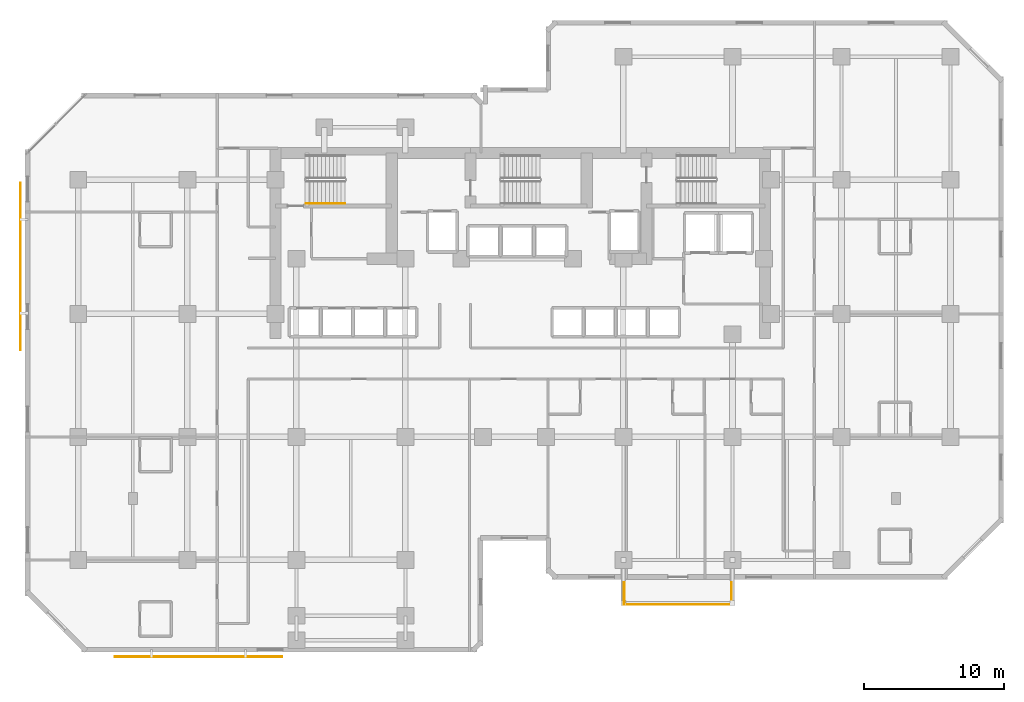
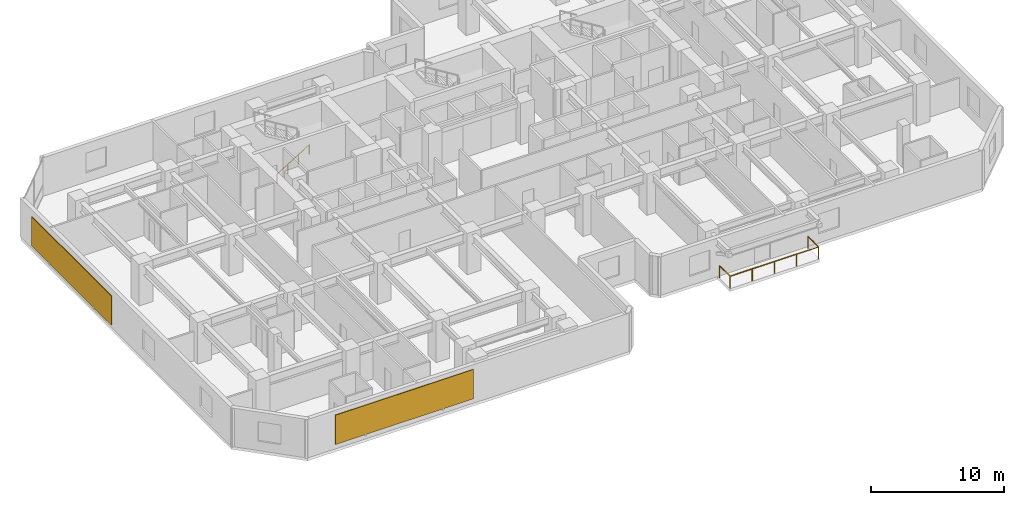
# One storey, part 11 of 12: 3 railings, 2 shading devices.
"""IFC4 building model written with IfcOpenShell, lengths in metres."""

import ifcopenshell
import ifcopenshell.guid

model = None  # the IFC model being written
_history = None  # IfcOwnerHistory: only IFC2X3 demands one
_inside = {}  # id of a spatial element -> (the spatial element, [elements in it])
_under = {}  # id of a project, library or spatial element -> (it, [spatial elements below it])
_declared = {}  # id of a project -> (the project, [libraries it declares])
_typed = {}  # id of a type object -> (the type object, [elements of that type])
_made_of = {}  # id of a material, layer set ... -> (it, [elements and type objects made of it])


def new_model(schema):
    """Start an empty IFC model of exactly this schema.

    Asked for "IFC4X3", IfcOpenShell would pick the latest addendum, in which some entities
    have other attributes; the version numbers below select the first issue.
    IFC2X3 requires an IfcOwnerHistory on every rooted entity: one is made here for all.
    """
    global model, _history
    if schema == "IFC4X3":
        model = ifcopenshell.file(schema_version=(4, 3, 0, 0))
    else:
        model = ifcopenshell.file(schema=schema)
    _inside.clear()
    _under.clear()
    _declared.clear()
    _typed.clear()
    _made_of.clear()
    _history = None
    if model.schema == "IFC2X3":
        org = make("IfcOrganization", Name="unknown")
        user = make(
            "IfcPersonAndOrganization",
            ThePerson=make("IfcPerson", FamilyName="unknown"),
            TheOrganization=org,
        )
        app = make(
            "IfcApplication",
            ApplicationDeveloper=org,
            Version="unknown",
            ApplicationFullName="unknown",
            ApplicationIdentifier="unknown",
        )
        _history = make(
            "IfcOwnerHistory",
            OwningUser=user,
            OwningApplication=app,
            ChangeAction="ADDED",
            CreationDate=0,
        )
    return model


def make(cls, **values):
    """One entity of the class cls with the attributes given. An attribute that is None is left unset."""
    return model.create_entity(
        cls, **{name: value for name, value in values.items() if value is not None}
    )


def rooted(cls, **values):
    """An entity with a GlobalId (a new one), such as an element, a storey or a relation."""
    return make(cls, GlobalId=ifcopenshell.guid.new(), OwnerHistory=_history, **values)


def si_unit(unit_type, name, prefix=None):
    """IfcSIUnit, for example si_unit("LENGTHUNIT", "METRE", prefix="MILLI")."""
    return make("IfcSIUnit", UnitType=unit_type, Prefix=prefix, Name=name)


def assignment(units):
    """IfcUnitAssignment: the units of a project."""
    return None if units is None else make("IfcUnitAssignment", Units=units)


def point(xyz):
    """IfcCartesianPoint."""
    return None if xyz is None else make("IfcCartesianPoint", Coordinates=xyz)


def direction(xyz):
    """IfcDirection."""
    return None if xyz is None else make("IfcDirection", DirectionRatios=xyz)


def frame(location, z_axis=None, x_axis=None):
    """IfcAxis2Placement3D, a coordinate frame: its origin and axes. An axis left out is left unset."""
    return make(
        "IfcAxis2Placement3D",
        Location=point(location),
        Axis=direction(z_axis),
        RefDirection=direction(x_axis),
    )


def frame_2d(location, x_axis=None):
    """IfcAxis2Placement2D, a coordinate frame in the plane: its origin and x axis."""
    return make(
        "IfcAxis2Placement2D", Location=point(location), RefDirection=direction(x_axis)
    )


def origin():
    """The frame at (0, 0, 0) with its axes left unset."""
    return frame((0.0, 0.0, 0.0))


def origin_2d():
    """The frame at (0, 0) in the plane with its x axis left unset."""
    return frame_2d((0.0, 0.0))


def place(relative_to, where):
    """IfcLocalPlacement: puts the frame where relative to a parent placement (None: the world)."""
    return make(
        "IfcLocalPlacement", PlacementRelTo=relative_to, RelativePlacement=where
    )


def context(
    kind, dimensions, precision=None, world=None, true_north=None, identifier=None
):
    """IfcGeometricRepresentationContext, for example the 3D "Model" context."""
    return make(
        "IfcGeometricRepresentationContext",
        ContextIdentifier=identifier,
        ContextType=kind,
        CoordinateSpaceDimension=dimensions,
        Precision=precision,
        WorldCoordinateSystem=world,
        TrueNorth=true_north,
    )


def subcontext(parent, identifier, kind, view, scale=None):
    """IfcGeometricRepresentationSubContext, for example "Body" below "Model"."""
    return make(
        "IfcGeometricRepresentationSubContext",
        ContextIdentifier=identifier,
        ContextType=kind,
        ParentContext=parent,
        TargetScale=scale,
        TargetView=view,
    )


def project(units=None, contexts=None):
    """IfcProject with its units and contexts."""
    return rooted(
        "IfcProject",
        Name="project",
        RepresentationContexts=contexts,
        UnitsInContext=assignment(units),
    )


def spatial(cls, under=None, at=None, **own):
    """A site, building, storey or space (cls), placed at a placement, below another one or the project."""
    s = rooted(cls, ObjectPlacement=at, **own)
    if under is not None:
        _under.setdefault(under.id(), (under, []))[1].append(s)
    return s


def profile(cls, at=None, kind="AREA", **sizes):
    """A parametric profile (cls). Its sizes go by their IFC names, for example OverallWidth=200.0."""
    return make(cls, ProfileType=kind, Position=at, **sizes)


def rectangle(**sizes):
    """IfcRectangleProfileDef."""
    return profile("IfcRectangleProfileDef", **sizes)


def circle(**sizes):
    """IfcCircleProfileDef."""
    return profile("IfcCircleProfileDef", **sizes)


def extrude(swept, where, along, depth):
    """IfcExtrudedAreaSolid: the profile swept, set in the frame where, extruded along a direction by depth."""
    return make(
        "IfcExtrudedAreaSolid",
        SweptArea=swept,
        Position=where,
        ExtrudedDirection=direction(along),
        Depth=depth,
    )


def shape(context_of_items, identifier, shape_type, items):
    """IfcShapeRepresentation: the items that make up one representation, for example the "Body"."""
    return make(
        "IfcShapeRepresentation",
        ContextOfItems=context_of_items,
        RepresentationIdentifier=identifier,
        RepresentationType=shape_type,
        Items=items,
    )


def material(Name=None, Category=None):
    """IfcMaterial."""
    return make("IfcMaterial", Name=Name, Category=Category)


def layer(
    of_material, thickness, ventilated=None, Name=None, Category=None, Priority=None
):
    """IfcMaterialLayer: one layer of a wall or slab, of a material (None: an air gap)."""
    return make(
        "IfcMaterialLayer",
        Material=of_material,
        LayerThickness=thickness,
        IsVentilated=ventilated,
        Name=Name,
        Category=Category,
        Priority=Priority,
    )


def layer_set(layers, Name=None):
    """IfcMaterialLayerSet."""
    return make("IfcMaterialLayerSet", MaterialLayers=layers, LayerSetName=Name)


def made_of(thing, what):
    """Note that an element or type object is made of a material, layer set ...; save() writes the relation."""
    if what is not None:
        _made_of.setdefault(what.id(), (what, []))[1].append(thing)
    return thing


def type_object(cls, material=None, **own):
    """A type object (cls), such as IfcWallType, which elements share."""
    return made_of(rooted(cls, **own), material)


def element(
    cls,
    number,
    at=None,
    inside=None,
    cuts=None,
    type_object=None,
    material=None,
    context=None,
    identifier="Body",
    shape_type=None,
    held_by="IfcProductDefinitionShape",
    body=None,
    shapes=None,
    **own,
):
    """One element of the class cls, such as IfcWall. Its Tag is "e" and its number.

    at: its placement. inside: the storey or other place that contains it. cuts: it is an
    opening in that element (IfcRelVoidsElement). A single representation is given by context,
    identifier, shape_type and body (its items); several are given by shapes. held_by: the class
    of the entity that holds the representations. save() writes the other relations.
    """
    e = rooted(cls, Tag="e%d" % number, ObjectPlacement=at, **own)
    if body is not None:
        shapes = [shape(context, identifier, shape_type, body)]
    if shapes is not None:
        e.Representation = make(held_by, Representations=shapes)
    if inside is not None:
        _inside.setdefault(inside.id(), (inside, []))[1].append(e)
    if cuts is not None:
        rooted(
            "IfcRelVoidsElement", RelatingBuildingElement=cuts, RelatedOpeningElement=e
        )
    if type_object is not None:
        _typed.setdefault(type_object.id(), (type_object, []))[1].append(e)
    return made_of(e, material)


def aggregate(whole, parts):
    """IfcRelAggregates: a whole, such as a stair, and the parts it consists of."""
    return rooted("IfcRelAggregates", RelatingObject=whole, RelatedObjects=parts)


def save(model, path):
    """Write the relations noted so far, then the file.

    IfcRelAggregates (storeys below a building ...), IfcRelContainedInSpatialStructure (elements
    in a storey), IfcRelDefinesByType, IfcRelAssociatesMaterial and IfcRelDeclares: one each for
    every whole, place, type object, material and project.
    """
    for whole, parts in _under.values():
        aggregate(whole, parts)
    for where, things in _inside.values():
        rooted(
            "IfcRelContainedInSpatialStructure",
            RelatedElements=things,
            RelatingStructure=where,
        )
    for kind, things in _typed.values():
        rooted("IfcRelDefinesByType", RelatedObjects=things, RelatingType=kind)
    for what, things in _made_of.values():
        rooted("IfcRelAssociatesMaterial", RelatedObjects=things, RelatingMaterial=what)
    for by, libraries in _declared.values():
        rooted("IfcRelDeclares", RelatingContext=by, RelatedDefinitions=libraries)
    model.write(path)


model = new_model("IFC4")

# Units and contexts
model_context = context("Model", 3, precision=1e-05, world=origin(), true_north=direction((0.0, 1.0)))
body_context = subcontext(model_context, "Body", "Model", "MODEL_VIEW")
ifc_project = project(units=[si_unit("LENGTHUNIT", "METRE"), si_unit("AREAUNIT", "SQUARE_METRE"), si_unit("VOLUMEUNIT", "CUBIC_METRE"), si_unit("PLANEANGLEUNIT", "RADIAN"), si_unit("MASSUNIT", "GRAM", prefix="KILO")], contexts=[model_context])

# Site, building, storey
site_placement = place(None, origin())
site = spatial("IfcSite", under=ifc_project, at=site_placement, CompositionType="ELEMENT")
building_placement = place(site_placement, origin())
building = spatial("IfcBuilding", under=site, at=building_placement, Name="Kestravale Grand Hotel", CompositionType="ELEMENT")
storey_placement = place(building_placement, frame((0.0, 0.0, 110.800048828125)))
storey = spatial("IfcBuildingStorey", under=building, at=storey_placement, Name="L27", CompositionType="ELEMENT", Elevation=110.800048828125)

# Railings
ifc_material_1 = material(Name="Champagne-bronze stainless steel and laminated glass guard", Category="steel")
railing_type_1 = type_object("IfcRailingType", Name="RL-EXT-1100", PredefinedType="GUARDRAIL", material=ifc_material_1)
railing_1_placement = place(storey_placement, frame((46.860107421875, 8.010009765625, 0.0)))
element("IfcRailing", 1, at=railing_1_placement, inside=storey, type_object=railing_type_1, Name="L27 outdoor terrace guard 1", PredefinedType="GUARDRAIL", context=body_context, shape_type="SweptSolid", body=[
    extrude(circle(Radius=0.02392578125, at=origin_2d()), frame((0.0, 0.0, 1.09619140625), z_axis=(0.0, 1.0, 0.0), x_axis=(-1.0, 0.0, 0.0)), (0.0, 0.0, 1.0), 1.570068359375),
    extrude(circle(Radius=0.02099609375, at=origin_2d()), origin(), (0.0, 0.0, 1.0), 1.072021484375),
    extrude(circle(Radius=0.02099609375, at=origin_2d()), frame((0.0, 1.570068359375, 0.0)), (0.0, 0.0, 1.0), 1.072021484375),
])
railing_2_placement = place(storey_placement, frame((54.5400390625, 9.580078125, 0.0)))
element("IfcRailing", 2, at=railing_2_placement, inside=storey, type_object=railing_type_1, Name="L27 outdoor terrace guard 2", PredefinedType="GUARDRAIL", context=body_context, shape_type="SweptSolid", body=[
    extrude(circle(Radius=0.02392578125, at=origin_2d()), frame((0.0, 0.0, 1.09619140625), z_axis=(0.0, -1.0, 0.0), x_axis=(1.0, 0.0, 0.0)), (0.0, 0.0, 1.0), 1.570068359375),
    extrude(circle(Radius=0.02392578125, at=origin_2d()), frame((0.0, -1.570068359375, 1.09619140625), z_axis=(-1.0, 0.0, 0.0), x_axis=(0.0, -1.0, 0.0)), (0.0, 0.0, 1.0), 7.679931640625),
    extrude(circle(Radius=0.02099609375, at=origin_2d()), origin(), (0.0, 0.0, 1.0), 1.072021484375),
    extrude(circle(Radius=0.02099609375, at=origin_2d()), frame((0.0, -1.570068359375, 0.0)), (0.0, 0.0, 1.0), 1.072021484375),
    extrude(circle(Radius=0.02099609375, at=origin_2d()), frame((-1.919921875, -1.570068359375, 0.0)), (0.0, 0.0, 1.0), 1.072021484375),
    extrude(circle(Radius=0.02099609375, at=origin_2d()), frame((-3.83984375, -1.570068359375, 0.0)), (0.0, 0.0, 1.0), 1.072021484375),
    extrude(circle(Radius=0.02099609375, at=origin_2d()), frame((-5.760009765625, -1.570068359375, 0.0)), (0.0, 0.0, 1.0), 1.072021484375),
    extrude(circle(Radius=0.02099609375, at=origin_2d()), frame((-7.679931640625, -1.570068359375, 0.0)), (0.0, 0.0, 1.0), 1.072021484375),
])
ifc_material_2 = material(Name="Brushed stainless steel wall handrail", Category="steel")
railing_type_2 = type_object("IfcRailingType", Name="RL-ST-HND900", PredefinedType="HANDRAIL", material=ifc_material_2)
railing_3_placement = place(storey_placement, frame((24.080078125, 36.699951171875, 0.172607421875)))
element("IfcRailing", 3, at=railing_3_placement, inside=storey, type_object=railing_type_2, Name="L27 ST-1 stair handrail 1", PredefinedType="HANDRAIL", context=body_context, shape_type="SweptSolid", body=[
    extrude(circle(Radius=0.02392578125, at=origin_2d()), frame((0.0, 0.0, 0.8759765625), z_axis=(0.851069175582, 0.0, 0.525053576669), x_axis=(0.0, 1.0, 0.0)), (0.0, 0.0, 1.0), 3.289794921875),
    extrude(circle(Radius=0.02099609375, at=origin_2d()), origin(), (0.0, 0.0, 1.0), 0.851806640625),
    extrude(circle(Radius=0.02099609375, at=origin_2d()), frame((0.933349609375, 0.0, 0.57568359375)), (0.0, 0.0, 1.0), 0.851806640625),
    extrude(circle(Radius=0.02099609375, at=origin_2d()), frame((1.866455078125, 0.0, 1.151611328125)), (0.0, 0.0, 1.0), 0.851806640625),
    extrude(circle(Radius=0.02099609375, at=origin_2d()), frame((2.7998046875, 0.0, 1.727294921875)), (0.0, 0.0, 1.0), 0.851806640625),
])

# Shading devices
ifc_material_3 = material(Name="Perforated champagne-bronze aluminium and ceramic solar screen", Category="aluminium")
ifc_layer = layer(ifc_material_3, 0.06494140625)
ifc_layer_set = layer_set([ifc_layer], Name="SHD-SCR-CHEV")
shading_device_type = type_object("IfcShadingDeviceType", Name="SHD-SCR-CHEV", PredefinedType="USERDEFINED", material=ifc_layer_set)
for number, where, z_axis, x_axis, name in (
    (4, (16.39990234375, 4.260009765625, 0.699951171875), (0.0, 0.0, 1.0), (1.0, 0.0, 0.0), "L27 Perforated bronze ceramic chevron solar screen SCR-L27-01"),
    (5, (3.659912109375, 32.199951171875, 0.699951171875), (0.0, 0.0, 1.0), (0.0, -1.0, 0.0), "L27 Perforated bronze ceramic chevron solar screen SCR-L27-19"),
):
    element("IfcShadingDevice", number, at=place(storey_placement, frame(where, z_axis=z_axis, x_axis=x_axis)), inside=storey, type_object=shading_device_type, Name=name, ObjectType="SCREEN", PredefinedType="USERDEFINED", context=body_context, shape_type="SweptSolid", body=[
        extrude(rectangle(XDim=12.0, YDim=0.06494140625, at=origin_2d()), origin(), (0.0, 0.0, 1.0), 2.68994140625),
    ])

save(model, "model.ifc")
